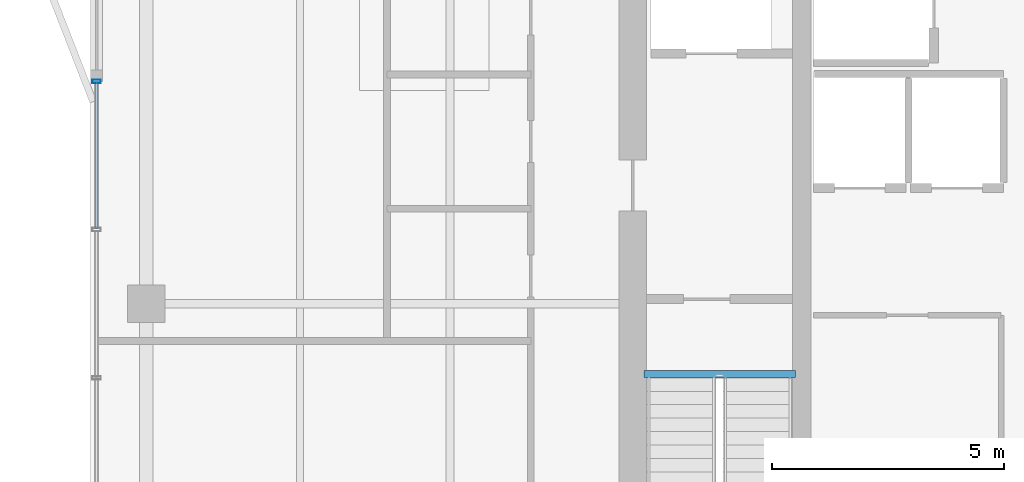
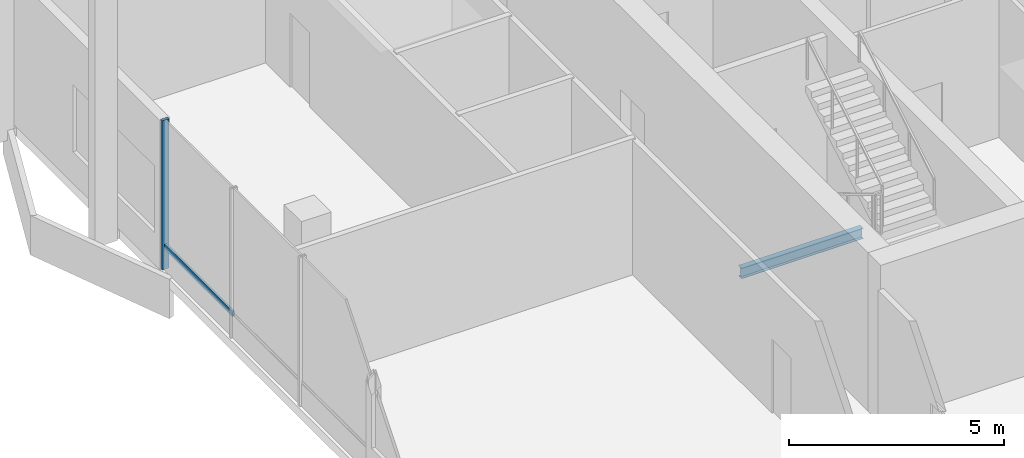
# One storey, part 5 of 15: 2 members, 1 beam, 1 element without a shape of its own.
"""IFC4 building model written with IfcOpenShell, lengths in metres."""

from ifc_helpers import new_model, si_unit, direction, frame, origin, origin_2d, place, context, subcontext, project, spatial, hollow_rectangle, i_section, extrude, material, layer, layer_set, material_profile, profile_set, type_object, element, aggregate, save


model = new_model("IFC4")

# Units and contexts
model_context = context("Model", 3, precision=1e-05, world=origin(), true_north=direction((0.0, 1.0)))
body_context = subcontext(model_context, "Body", "Model", "MODEL_VIEW")
ifc_project = project(units=[si_unit("LENGTHUNIT", "METRE"), si_unit("AREAUNIT", "SQUARE_METRE"), si_unit("VOLUMEUNIT", "CUBIC_METRE"), si_unit("PLANEANGLEUNIT", "RADIAN"), si_unit("MASSUNIT", "GRAM", prefix="KILO")], contexts=[model_context])

# Site, building, storey
site_placement = place(None, origin())
site = spatial("IfcSite", under=ifc_project, at=site_placement, CompositionType="ELEMENT")
building_placement = place(site_placement, origin())
building = spatial("IfcBuilding", under=site, at=building_placement, Name="Belovzor Exchange Tower", CompositionType="ELEMENT")
storey_placement = place(building_placement, frame((0.0, 0.0, 360.0)))
storey = spatial("IfcBuildingStorey", under=building, at=storey_placement, Name="L90", CompositionType="ELEMENT", Elevation=360.0)

# Beam
ifc_material_1 = material(Name="Steel S355", Category="steel")
ifc_material_profile_1 = material_profile(ifc_material_1, i_section(OverallWidth=0.14990234375, OverallDepth=0.300048828125, WebThickness=0.007080078125, FlangeThickness=0.0107421875, at=origin_2d()))
ifc_profile_set_1 = profile_set([ifc_material_profile_1], Name="Steel S355")
beam_type = type_object("IfcBeamType", Name="Secondary Trim Floor Joist IPE 300", PredefinedType="BEAM", material=ifc_profile_set_1)
beam_placement = place(storey_placement, frame((20.340087890625, 27.280029296875, -0.409912109375), z_axis=(1.0, 0.0, 0.0), x_axis=(0.0, 1.0, 0.0)))
element("IfcBeam", 1, at=beam_placement, inside=storey, type_object=beam_type, Name="FJ-300 Secondary Trim Floor Joist IPE 300", PredefinedType="BEAM", context=body_context, shape_type="SweptSolid", body=[
    extrude(i_section(OverallWidth=0.14990234375, OverallDepth=0.300048828125, WebThickness=0.007080078125, FlangeThickness=0.0107421875, at=origin_2d()), origin(), (0.0, 0.0, 1.0), 3.27001953125),
])

# Curtain wall, members
ifc_material_2 = material(Name="Anodised Aluminium Framing", Category="aluminium")
ifc_layer = layer(ifc_material_2, 0.169921875)
ifc_layer_set = layer_set([ifc_layer], Name="Anodised Aluminium Framing")
curtain_wall_type = type_object("IfcCurtainWallType", Name="Stepped Crown Faceted Lantern Curtain Wall", PredefinedType="NOTDEFINED", material=ifc_layer_set)
curtain_wall_placement = place(storey_placement, origin())
curtain_wall = element("IfcCurtainWall", 2, at=curtain_wall_placement, inside=storey, type_object=curtain_wall_type, Name="CW6 Stepped Crown Faceted Lantern Curtain Wall L90", PredefinedType="NOTDEFINED")
ifc_material_3 = material(Name="Steel S355", Category="steel")
ifc_material_profile_2 = material_profile(ifc_material_3, hollow_rectangle(XDim=0.074951171875, YDim=0.179931640625, WallThickness=0.0048828125, at=origin_2d()))
ifc_profile_set_2 = profile_set([ifc_material_profile_2], Name="Steel S355")
member_type_1 = type_object("IfcMemberType", Name="Thermally Broken Curtain Wall Mullion 180x75", PredefinedType="MULLION", material=ifc_profile_set_2)
member_1_placement = place(storey_placement, frame((8.530029296875, 33.60009765625, 0.0), z_axis=(0.0, 0.0, 1.0), x_axis=(0.0, 1.0, 0.0)))
member_1 = element("IfcMember", 3, at=member_1_placement, type_object=member_type_1, Name="CW-M180 Curtain Wall Mullion 4", PredefinedType="MULLION", context=body_context, shape_type="SweptSolid", body=[
    extrude(hollow_rectangle(XDim=0.074951171875, YDim=0.179931640625, WallThickness=0.0048828125, at=origin_2d()), origin(), (0.0, 0.0, 1.0), 4.239990234375),
])
ifc_material_4 = material(Name="Steel S355", Category="steel")
ifc_material_profile_3 = material_profile(ifc_material_4, hollow_rectangle(XDim=0.06005859375, YDim=0.14990234375, WallThickness=0.00390625, at=origin_2d()))
ifc_profile_set_3 = profile_set([ifc_material_profile_3], Name="Steel S355")
member_type_2 = type_object("IfcMemberType", Name="Thermally Broken Curtain Wall Transom 150x60", PredefinedType="USERDEFINED", material=ifc_profile_set_3)
member_2_placement = place(storey_placement, frame((8.530029296875, 30.407958984375, 0.64990234375), z_axis=(0.0, 1.0, 0.0), x_axis=(-1.0, 0.0, 0.0)))
member_2 = element("IfcMember", 4, at=member_2_placement, type_object=member_type_2, Name="CW-T150 Curtain Wall Transom 3", ObjectType="TRANSOM", PredefinedType="USERDEFINED", context=body_context, shape_type="SweptSolid", body=[
    extrude(hollow_rectangle(XDim=0.06005859375, YDim=0.14990234375, WallThickness=0.00390625, at=origin_2d()), origin(), (0.0, 0.0, 1.0), 3.18408203125),
])
aggregate(curtain_wall, [member_1, member_2])

save(model, "model.ifc")
